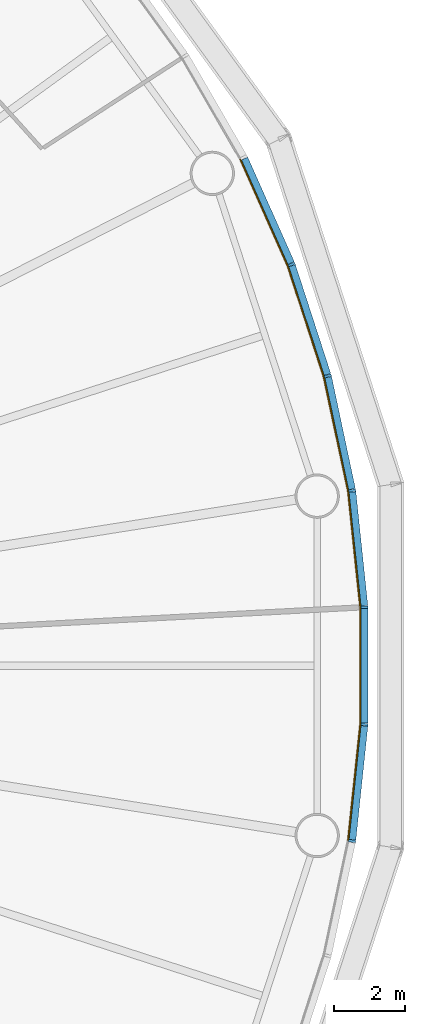
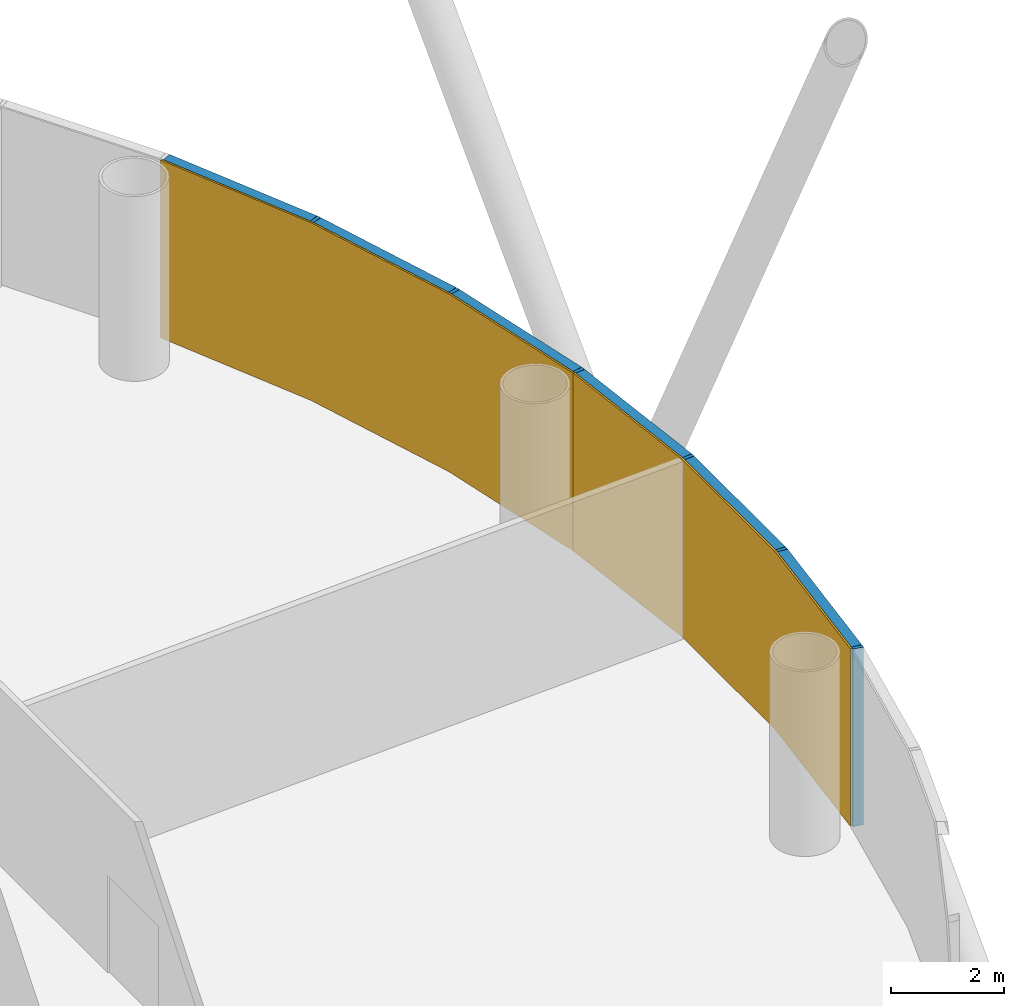
# One storey, part 11 of 13: 12 members, 2 curtain walls.
"""IFC4 building model written with IfcOpenShell, lengths in metres."""

from ifc_helpers import new_model, si_unit, direction, frame, origin, origin_2d, place, context, subcontext, project, spatial, polyline, rectangle, outline, extrude, material, layer, layer_set, material_profile, profile_set, type_object, element, aggregate, save


model = new_model("IFC4")

# Units and contexts
model_context = context("Model", 3, precision=1e-05, world=origin(), true_north=direction((0.0, 1.0)))
body_context = subcontext(model_context, "Body", "Model", "MODEL_VIEW")
ifc_project = project(units=[si_unit("LENGTHUNIT", "METRE"), si_unit("AREAUNIT", "SQUARE_METRE"), si_unit("VOLUMEUNIT", "CUBIC_METRE"), si_unit("PLANEANGLEUNIT", "RADIAN"), si_unit("MASSUNIT", "GRAM", prefix="KILO")], contexts=[model_context])

# Member
ifc_material_1 = material(Name="Anodised aluminium", Category="aluminium")
ifc_material_profile_1 = material_profile(ifc_material_1, rectangle(XDim=0.070068359375, YDim=0.199951171875, at=origin_2d()), Name="Mullion 70 x 200 mm anodised aluminium")
ifc_profile_set_1 = profile_set([ifc_material_profile_1], Name="Anodised aluminium")
member_type_1 = type_object("IfcMemberType", Name="Mullion 70 x 200 mm anodised aluminium", PredefinedType="MULLION", material=ifc_profile_set_1)
site_placement = place(None, origin())
building_placement = place(site_placement, origin())
storey_placement = place(building_placement, frame((0.0, 0.0, 96.0)))
member_1_placement = place(storey_placement, frame((121.2109375, 84.943359375, 0.0), z_axis=(0.0, 0.0, 1.0), x_axis=(-0.15643446504, 0.987688340595, 0.0)))
member_1 = element("IfcMember", 1, at=member_1_placement, type_object=member_type_1, Name="MULLION L21-00", PredefinedType="MULLION", context=body_context, shape_type="SweptSolid", body=[
    extrude(rectangle(XDim=0.070068359375, YDim=0.199951171875, at=origin_2d()), origin(), (0.0, 0.0, 1.0), 3.85009765625),
])

member_2_placement = place(storey_placement, frame((120.523193359375, 88.1787109375, 0.0), z_axis=(0.0, 0.0, 1.0), x_axis=(-0.258819045103, 0.965925826289, 0.0)))
member_2 = element("IfcMember", 2, at=member_2_placement, type_object=member_type_1, Name="MULLION L21-01", PredefinedType="MULLION", context=body_context, shape_type="SweptSolid", body=[
    extrude(rectangle(XDim=0.070068359375, YDim=0.199951171875, at=origin_2d()), origin(), (0.0, 0.0, 1.0), 3.85009765625),
])

member_3_placement = place(storey_placement, frame((119.501220703125, 91.324462890625, 0.0), z_axis=(0.0, 0.0, 1.0), x_axis=(-0.358367949545, 0.933580426497, 0.0)))
member_3 = element("IfcMember", 3, at=member_3_placement, type_object=member_type_1, Name="MULLION L21-02", PredefinedType="MULLION", context=body_context, shape_type="SweptSolid", body=[
    extrude(rectangle(XDim=0.070068359375, YDim=0.199951171875, at=origin_2d()), origin(), (0.0, 0.0, 1.0), 3.85009765625),
])

member_4_placement = place(storey_placement, frame((121.2109375, 75.056640625, 0.0), z_axis=(0.0, 0.0, 1.0), x_axis=(0.15643446504, 0.987688340595, 0.0)))
member_4 = element("IfcMember", 4, at=member_4_placement, type_object=member_type_1, Name="MULLION L21-57", PredefinedType="MULLION", context=body_context, shape_type="SweptSolid", body=[
    extrude(rectangle(XDim=0.070068359375, YDim=0.199951171875, at=origin_2d()), origin(), (0.0, 0.0, 1.0), 3.85009765625),
])

member_5_placement = place(storey_placement, frame((121.556640625, 78.34619140625, 0.0), z_axis=(0.0, 0.0, 1.0), x_axis=(0.052335956243, 0.998629534755, 0.0)))
member_5 = element("IfcMember", 5, at=member_5_placement, type_object=member_type_1, Name="MULLION L21-58", PredefinedType="MULLION", context=body_context, shape_type="SweptSolid", body=[
    extrude(rectangle(XDim=0.070068359375, YDim=0.199951171875, at=origin_2d()), origin(), (0.0, 0.0, 1.0), 3.85009765625),
])

member_6_placement = place(storey_placement, frame((121.556640625, 81.65380859375, 0.0), z_axis=(0.0, 0.0, 1.0), x_axis=(-0.052335956243, 0.998629534755, 0.0)))
member_6 = element("IfcMember", 6, at=member_6_placement, type_object=member_type_1, Name="MULLION L21-59", PredefinedType="MULLION", context=body_context, shape_type="SweptSolid", body=[
    extrude(rectangle(XDim=0.070068359375, YDim=0.199951171875, at=origin_2d()), origin(), (0.0, 0.0, 1.0), 3.85009765625),
])

ifc_material_2 = material(Name="Anodised aluminium", Category="aluminium")
ifc_material_profile_2 = material_profile(ifc_material_2, rectangle(XDim=0.199951171875, YDim=0.18994140625, at=origin_2d()), Name="Transom 190 x 200 mm anodised aluminium")
ifc_profile_set_2 = profile_set([ifc_material_profile_2], Name="Anodised aluminium")
member_type_2 = type_object("IfcMemberType", Name="Transom 190 x 200 mm anodised aluminium", PredefinedType="USERDEFINED", material=ifc_profile_set_2)
member_7_placement = place(storey_placement, frame((121.20263671875, 84.982666015625, 3.7548828125), z_axis=(-0.207885898771, 0.978153082647, 0.0), x_axis=(-0.978153082647, -0.207885898771, 0.0)))
member_7 = element("IfcMember", 7, at=member_7_placement, type_object=member_type_2, Name="TRANSOM L21-00", ObjectType="TRANSOM", PredefinedType="USERDEFINED", context=body_context, shape_type="SweptSolid", body=[
    extrude(rectangle(XDim=0.199951171875, YDim=0.18994140625, at=origin_2d()), origin(), (0.0, 0.0, 1.0), 3.227294921875),
])

member_8_placement = place(storey_placement, frame((120.510986328125, 88.217041015625, 3.7548828125), z_axis=(-0.309046726844, 0.951046855117, 0.0), x_axis=(-0.951046855117, -0.309046726844, 0.0)))
member_8 = element("IfcMember", 8, at=member_8_placement, type_object=member_type_2, Name="TRANSOM L21-01", ObjectType="TRANSOM", PredefinedType="USERDEFINED", context=body_context, shape_type="SweptSolid", body=[
    extrude(rectangle(XDim=0.199951171875, YDim=0.18994140625, at=origin_2d()), origin(), (0.0, 0.0, 1.0), 3.22705078125),
])

member_9_placement = place(storey_placement, frame((119.48486328125, 91.361328125, 3.7548828125), z_axis=(-0.406728032322, 0.913549291349, 0.0), x_axis=(-0.913549291349, -0.406728032322, 0.0)))
member_9 = element("IfcMember", 9, at=member_9_placement, type_object=member_type_2, Name="TRANSOM L21-02", ObjectType="TRANSOM", PredefinedType="USERDEFINED", context=body_context, shape_type="SweptSolid", body=[
    extrude(rectangle(XDim=0.199951171875, YDim=0.18994140625, at=origin_2d()), origin(), (0.0, 0.0, 1.0), 3.22705078125),
])

member_10_placement = place(storey_placement, frame((121.21533203125, 75.0966796875, 3.7548828125), z_axis=(0.104550890115, 0.994519537956, 0.0), x_axis=(-0.994519537956, 0.104550890115, 0.0)))
member_10 = element("IfcMember", 10, at=member_10_placement, type_object=member_type_2, Name="TRANSOM L21-57", ObjectType="TRANSOM", PredefinedType="USERDEFINED", context=body_context, shape_type="SweptSolid", body=[
    extrude(rectangle(XDim=0.199951171875, YDim=0.18994140625, at=origin_2d()), origin(), (0.0, 0.0, 1.0), 3.22705078125),
])

member_11_placement = place(storey_placement, frame((121.556884765625, 78.386474609375, 3.7548828125), z_axis=(0.0, 1.0, 0.0), x_axis=(-1.0, 0.0, 0.0)))
member_11 = element("IfcMember", 11, at=member_11_placement, type_object=member_type_2, Name="TRANSOM L21-58", ObjectType="TRANSOM", PredefinedType="USERDEFINED", context=body_context, shape_type="SweptSolid", body=[
    extrude(rectangle(XDim=0.199951171875, YDim=0.18994140625, at=origin_2d()), origin(), (0.0, 0.0, 1.0), 3.22705078125),
])

member_12_placement = place(storey_placement, frame((121.552734375, 81.69384765625, 3.7548828125), z_axis=(-0.104550890115, 0.994519537956, 0.0), x_axis=(-0.994519537956, -0.104550890115, 0.0)))
member_12 = element("IfcMember", 12, at=member_12_placement, type_object=member_type_2, Name="TRANSOM L21-59", ObjectType="TRANSOM", PredefinedType="USERDEFINED", context=body_context, shape_type="SweptSolid", body=[
    extrude(rectangle(XDim=0.199951171875, YDim=0.18994140625, at=origin_2d()), origin(), (0.0, 0.0, 1.0), 3.22705078125),
])

# Site, building, storey
site = spatial("IfcSite", under=ifc_project, at=site_placement, CompositionType="ELEMENT")
building = spatial("IfcBuilding", under=site, at=building_placement, Name="Entoto Ring Tower", CompositionType="ELEMENT")
storey = spatial("IfcBuildingStorey", under=building, at=storey_placement, Name="L21", CompositionType="ELEMENT", Elevation=96.0)

# Curtain wall
ifc_material_3 = material(Name="Clear low-iron glass", Category="glass")
ifc_layer = layer(ifc_material_3, 0.035888671875)
ifc_layer_set = layer_set([ifc_layer], Name="Clear low-iron glass")
curtain_wall_type = type_object("IfcCurtainWallType", Name="Curtain wall system CW2 glazing 36 mm", PredefinedType="NOTDEFINED", material=ifc_layer_set)
curtain_wall_1_placement = place(storey_placement, origin())
curtain_wall_1 = element("IfcCurtainWall", 13, at=curtain_wall_1_placement, inside=storey, type_object=curtain_wall_type, Name="CW2 L21-01", PredefinedType="NOTDEFINED", context=body_context, shape_type="SweptSolid", body=[
    extrude(outline(polyline([(121.1123046875, 84.927734375), (120.4267578125, 88.15283203125), (119.40771484375, 91.28857421875), (118.066650390625, 94.30078125), (118.03466796875, 94.284423828125), (119.3740234375, 91.275634765625), (120.391845703125, 88.1435546875), (121.07666015625, 84.922119140625), (121.1123046875, 84.927734375)])), origin(), (0.0, 0.0, 1.0), 3.85009765625),
])

aggregate(curtain_wall_1, [member_1, member_2, member_3, member_7, member_8, member_9])

curtain_wall_2_placement = place(storey_placement, origin())
curtain_wall_2 = element("IfcCurtainWall", 14, at=curtain_wall_2_placement, inside=storey, type_object=curtain_wall_type, Name="CW2 L21-20", PredefinedType="NOTDEFINED", context=body_context, shape_type="SweptSolid", body=[
    extrude(outline(polyline([(121.1123046875, 75.072265625), (121.456787109375, 78.351318359375), (121.456787109375, 81.648681640625), (121.1123046875, 84.927734375), (121.07666015625, 84.922119140625), (121.4208984375, 81.646728515625), (121.4208984375, 78.353271484375), (121.07666015625, 75.077880859375), (121.1123046875, 75.072265625)])), origin(), (0.0, 0.0, 1.0), 3.85009765625),
])

aggregate(curtain_wall_2, [member_4, member_5, member_6, member_10, member_11, member_12])

save(model, "model.ifc")
